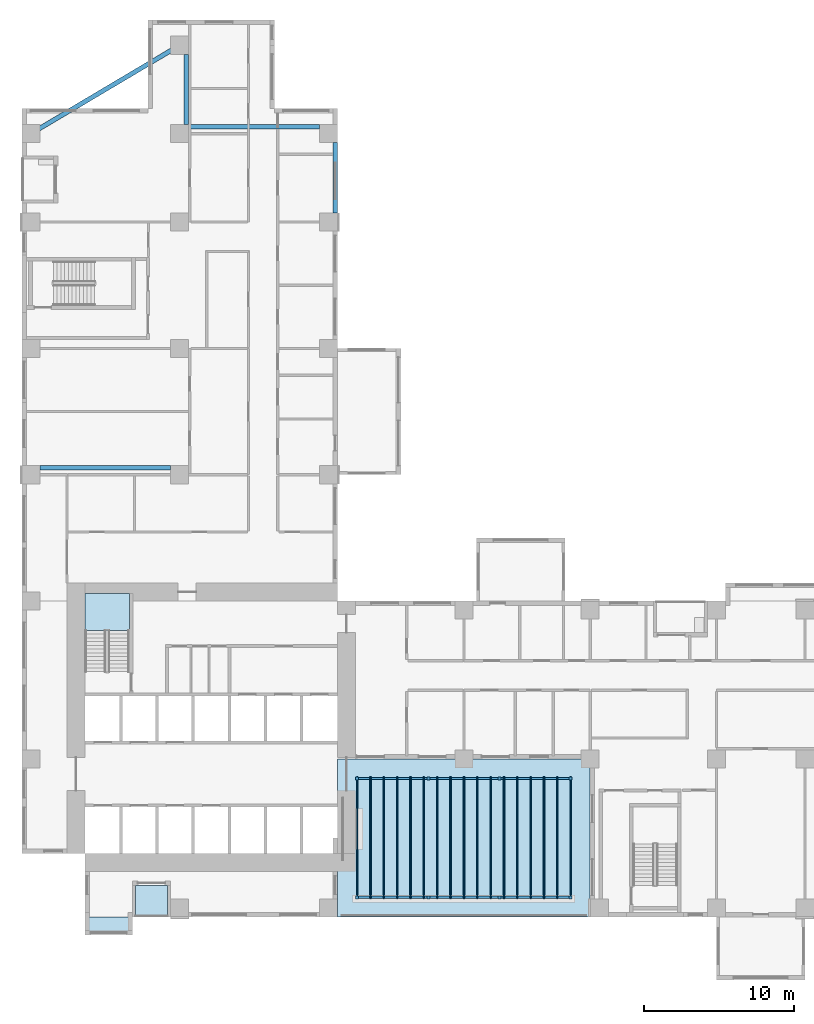
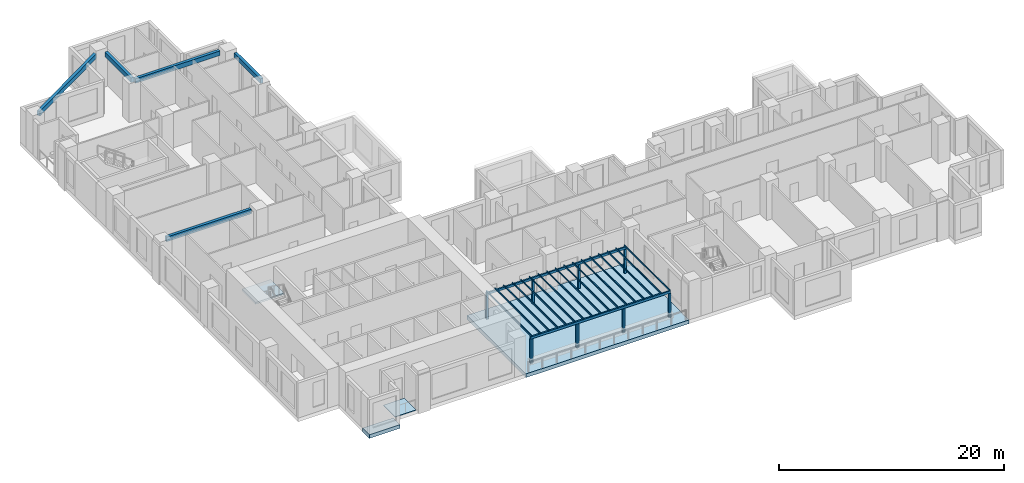
# One storey, part 2 of 16: 32 members, 4 slabs, 1 element without a shape of its own.
"""IFC4 building model written with IfcOpenShell, lengths in metres."""

from ifc_helpers import new_model, si_unit, direction, frame, origin, origin_2d, place, context, subcontext, project, spatial, polyline, rectangle, outline, extrude, source, transform, mapped, material, layer, layer_set, material_profile, profile_set, type_object, element, aggregate, save


model = new_model("IFC4")

# Units and contexts
model_context = context("Model", 3, precision=1e-05, world=origin(), true_north=direction((0.0, 1.0)))
body_context = subcontext(model_context, "Body", "Model", "MODEL_VIEW")
ifc_project = project(units=[si_unit("LENGTHUNIT", "METRE"), si_unit("AREAUNIT", "SQUARE_METRE"), si_unit("VOLUMEUNIT", "CUBIC_METRE"), si_unit("PLANEANGLEUNIT", "RADIAN"), si_unit("MASSUNIT", "GRAM", prefix="KILO")], contexts=[model_context])

# Site, building, storey
site_placement = place(None, origin())
site = spatial("IfcSite", under=ifc_project, at=site_placement, CompositionType="ELEMENT")
building_placement = place(site_placement, origin())
building = spatial("IfcBuilding", under=site, at=building_placement, Name="Aurelian Terraces", CompositionType="ELEMENT")
storey_placement = place(building_placement, frame((0.0, 0.0, 95.1)))
storey = spatial("IfcBuildingStorey", under=building, at=storey_placement, Name="L20", CompositionType="ELEMENT", Elevation=95.1)

# Members
ifc_material_1 = material(Name="Concrete fc' 40 MPa", Category="concrete")
ifc_material_profile_1 = material_profile(ifc_material_1, rectangle(XDim=0.3, YDim=0.5, at=origin_2d()))
ifc_profile_set_1 = profile_set([ifc_material_profile_1], Name="Concrete fc' 40 MPa")
member_type_1 = type_object("IfcMemberType", Name="CONCRETE EDGE BEAM 300X500", PredefinedType="MEMBER", material=ifc_profile_set_1)
shared_shape_1 = source(origin(), body_context, "Body", "SweptSolid", [
    extrude(rectangle(XDim=0.3, YDim=0.5, at=origin_2d()), origin(), (0.0, 0.0, 1.0), 4.68),
])
for number, where, z_axis, x_axis, name in (
    (1, (10.95, 57.36, 3.55), (0.0, -1.0, 0.0), (1.0, 0.0, 0.0), "Terrace edge member L21-X2"),
    (2, (20.85, 51.48, 3.55), (0.0, -1.0, 0.0), (1.0, 0.0, 0.0), "Terrace edge member L21-X3"),
):
    element("IfcMember", number, at=place(storey_placement, frame(where, z_axis=z_axis, x_axis=x_axis)), inside=storey, type_object=member_type_1, Name=name, PredefinedType="MEMBER", context=body_context, shape_type="MappedRepresentation", body=[
        mapped(shared_shape_1, transform((0.0, 0.0, 0.0), scale=1.0)),
    ])
shared_shape_2 = source(origin(), body_context, "Body", "SweptSolid", [
    extrude(rectangle(XDim=0.3, YDim=0.5, at=origin_2d()), origin(), (0.0, 0.0, 1.0), 8.7),
])
for number, where, z_axis, x_axis, name in (
    (3, (1.2, 29.85, 3.55), (1.0, 0.0, 0.0), (0.0, 1.0, 0.0), "Terrace edge member L21-X1"),
    (4, (19.8, 52.53, 3.55), (-1.0, 0.0, 0.0), (0.0, -1.0, 0.0), "Terrace edge member L21-X3.2"),
):
    element("IfcMember", number, at=place(storey_placement, frame(where, z_axis=z_axis, x_axis=x_axis)), inside=storey, type_object=member_type_1, Name=name, PredefinedType="MEMBER", context=body_context, shape_type="MappedRepresentation", body=[
        mapped(shared_shape_2, transform((0.0, 0.0, 0.0), scale=1.0)),
    ])
shared_shape_3 = source(origin(), body_context, "Body", "SweptSolid", [
    extrude(rectangle(XDim=0.3, YDim=0.5, at=origin_2d()), origin(), (0.0, 0.0, 1.0), 10.3145),
])
member_placement = place(storey_placement, frame((9.9841, 57.6536, 3.55), z_axis=(-0.859782116287, -0.510661054431, 0.0), x_axis=(0.510661054431, -0.859782116287, 0.0)))
element("IfcMember", 5, at=member_placement, inside=storey, type_object=member_type_1, Name="Terrace edge member L21-X2.2", PredefinedType="MEMBER", context=body_context, shape_type="MappedRepresentation", body=[
    mapped(shared_shape_3, transform((0.0, 0.0, 0.0), scale=1.0)),
])
ifc_material_2 = material(Name="Anodised aluminium", Category="aluminium")
ifc_material_profile_2 = material_profile(ifc_material_2, rectangle(XDim=0.2, YDim=0.2, at=origin_2d()))
ifc_profile_set_2 = profile_set([ifc_material_profile_2], Name="Anodised aluminium")
member_type_2 = type_object("IfcMemberType", Name="PERGOLA POST 200X200", PredefinedType="POST", material=ifc_profile_set_2)
shared_shape_4 = source(origin(), body_context, "Body", "SweptSolid", [
    extrude(rectangle(XDim=0.2, YDim=0.2, at=origin_2d()), origin(), (0.0, 0.0, 1.0), 2.6),
])
for number, where, z_axis, x_axis, name in (
    (6, (22.3, 1.3, 0.0), (0.0, 0.0, 1.0), (1.0, 0.0, 0.0), "Pergola post L20 SKY-03-T1.1.1"),
    (7, (22.3, 9.2, 0.0), (0.0, 0.0, 1.0), (1.0, 0.0, 0.0), "Pergola post L20 SKY-03-T1.1.2"),
    (8, (27.0333, 1.3, 0.0), (0.0, 0.0, 1.0), (1.0, 0.0, 0.0), "Pergola post L20 SKY-03-T1.2.1"),
    (9, (27.0333, 9.2, 0.0), (0.0, 0.0, 1.0), (1.0, 0.0, 0.0), "Pergola post L20 SKY-03-T1.2.2"),
    (10, (31.7667, 1.3, 0.0), (0.0, 0.0, 1.0), (1.0, 0.0, 0.0), "Pergola post L20 SKY-03-T1.3.1"),
    (11, (31.7667, 9.2, 0.0), (0.0, 0.0, 1.0), (1.0, 0.0, 0.0), "Pergola post L20 SKY-03-T1.3.2"),
    (12, (36.5, 1.3, 0.0), (0.0, 0.0, 1.0), (1.0, 0.0, 0.0), "Pergola post L20 SKY-03-T1.4.1"),
    (13, (36.5, 9.2, 0.0), (0.0, 0.0, 1.0), (1.0, 0.0, 0.0), "Pergola post L20 SKY-03-T1.4.2"),
):
    element("IfcMember", number, at=place(storey_placement, frame(where, z_axis=z_axis, x_axis=x_axis)), inside=storey, type_object=member_type_2, Name=name, PredefinedType="POST", context=body_context, shape_type="MappedRepresentation", body=[
        mapped(shared_shape_4, transform((0.0, 0.0, 0.0), scale=1.0)),
    ])
ifc_material_profile_3 = material_profile(ifc_material_2, rectangle(XDim=0.15, YDim=0.25, at=origin_2d()))
ifc_profile_set_3 = profile_set([ifc_material_profile_3], Name="Anodised aluminium")
member_type_3 = type_object("IfcMemberType", Name="PERGOLA BEAM 150X250", PredefinedType="PURLIN", material=ifc_profile_set_3)
shared_shape_5 = source(origin(), body_context, "Body", "SweptSolid", [
    extrude(rectangle(XDim=0.15, YDim=0.25, at=origin_2d()), origin(), (0.0, 0.0, 1.0), 14.4),
])
for number, where, z_axis, x_axis, name in (
    (14, (22.2, 1.3, 2.725), (1.0, 0.0, 0.0), (0.0, 1.0, 0.0), "Pergola beam L20 SKY-03-T1.1"),
    (15, (22.2, 9.2, 2.725), (1.0, 0.0, 0.0), (0.0, 1.0, 0.0), "Pergola beam L20 SKY-03-T1.2"),
):
    element("IfcMember", number, at=place(storey_placement, frame(where, z_axis=z_axis, x_axis=x_axis)), inside=storey, type_object=member_type_3, Name=name, PredefinedType="PURLIN", context=body_context, shape_type="MappedRepresentation", body=[
        mapped(shared_shape_5, transform((0.0, 0.0, 0.0), scale=1.0)),
    ])
ifc_material_profile_4 = material_profile(ifc_material_2, rectangle(XDim=0.08, YDim=0.15, at=origin_2d()))
ifc_profile_set_4 = profile_set([ifc_material_profile_4], Name="Anodised aluminium")
member_type_4 = type_object("IfcMemberType", Name="PERGOLA RAFTER 80X150", PredefinedType="RAFTER", material=ifc_profile_set_4)
shared_shape_6 = source(origin(), body_context, "Body", "SweptSolid", [
    extrude(rectangle(XDim=0.08, YDim=0.15, at=origin_2d()), origin(), (0.0, 0.0, 1.0), 8.1),
])
for number, where, z_axis, x_axis, name in (
    (16, (22.3, 1.2, 2.925), (0.0, 1.0, 0.0), (-1.0, 0.0, 0.0), "Pergola rafter L20 SKY-03-T1.1"),
    (17, (23.1875, 1.2, 2.925), (0.0, 1.0, 0.0), (-1.0, 0.0, 0.0), "Pergola rafter L20 SKY-03-T1.2"),
    (18, (24.075, 1.2, 2.925), (0.0, 1.0, 0.0), (-1.0, 0.0, 0.0), "Pergola rafter L20 SKY-03-T1.3"),
    (19, (24.9625, 1.2, 2.925), (0.0, 1.0, 0.0), (-1.0, 0.0, 0.0), "Pergola rafter L20 SKY-03-T1.4"),
    (20, (25.85, 1.2, 2.925), (0.0, 1.0, 0.0), (-1.0, 0.0, 0.0), "Pergola rafter L20 SKY-03-T1.5"),
    (21, (26.7375, 1.2, 2.925), (0.0, 1.0, 0.0), (-1.0, 0.0, 0.0), "Pergola rafter L20 SKY-03-T1.6"),
    (22, (27.625, 1.2, 2.925), (0.0, 1.0, 0.0), (-1.0, 0.0, 0.0), "Pergola rafter L20 SKY-03-T1.7"),
    (23, (28.5125, 1.2, 2.925), (0.0, 1.0, 0.0), (-1.0, 0.0, 0.0), "Pergola rafter L20 SKY-03-T1.8"),
    (24, (29.4, 1.2, 2.925), (0.0, 1.0, 0.0), (-1.0, 0.0, 0.0), "Pergola rafter L20 SKY-03-T1.9"),
    (25, (30.2875, 1.2, 2.925), (0.0, 1.0, 0.0), (-1.0, 0.0, 0.0), "Pergola rafter L20 SKY-03-T1.10"),
    (26, (31.175, 1.2, 2.925), (0.0, 1.0, 0.0), (-1.0, 0.0, 0.0), "Pergola rafter L20 SKY-03-T1.11"),
    (27, (32.0625, 1.2, 2.925), (0.0, 1.0, 0.0), (-1.0, 0.0, 0.0), "Pergola rafter L20 SKY-03-T1.12"),
    (28, (32.95, 1.2, 2.925), (0.0, 1.0, 0.0), (-1.0, 0.0, 0.0), "Pergola rafter L20 SKY-03-T1.13"),
    (29, (33.8375, 1.2, 2.925), (0.0, 1.0, 0.0), (-1.0, 0.0, 0.0), "Pergola rafter L20 SKY-03-T1.14"),
    (30, (34.725, 1.2, 2.925), (0.0, 1.0, 0.0), (-1.0, 0.0, 0.0), "Pergola rafter L20 SKY-03-T1.15"),
    (31, (35.6125, 1.2, 2.925), (0.0, 1.0, 0.0), (-1.0, 0.0, 0.0), "Pergola rafter L20 SKY-03-T1.16"),
    (32, (36.5, 1.2, 2.925), (0.0, 1.0, 0.0), (-1.0, 0.0, 0.0), "Pergola rafter L20 SKY-03-T1.17"),
):
    element("IfcMember", number, at=place(storey_placement, frame(where, z_axis=z_axis, x_axis=x_axis)), inside=storey, type_object=member_type_4, Name=name, PredefinedType="RAFTER", context=body_context, shape_type="MappedRepresentation", body=[
        mapped(shared_shape_6, transform((0.0, 0.0, 0.0), scale=1.0)),
    ])

# Slabs
ifc_layer_1 = layer(ifc_material_1, 0.4)
ifc_layer_set_1 = layer_set([ifc_layer_1], Name="Bay floor 400")
slab_type_1 = type_object("IfcSlabType", Name="Bay floor 400", PredefinedType="NOTDEFINED", material=ifc_layer_set_1)
shared_shape_7 = source(origin(), body_context, "Body", "SweptSolid", [
    extrude(outline(polyline([(4.2, 0.0), (7.35, 0.0), (7.35, -1.2), (4.2, -1.2), (4.2, 0.0)])), origin(), (0.0, 0.0, 1.0), 0.4),
])
slab_1_placement = place(storey_placement, frame((0.0, 0.0, -0.4)))
element("IfcSlab", 33, at=slab_1_placement, inside=storey, type_object=slab_type_1, Name="Bay floor L20 F01.1", PredefinedType="NOTDEFINED", context=body_context, shape_type="MappedRepresentation", body=[
    mapped(shared_shape_7, transform((0.0, 0.0, 0.0), scale=1.0)),
])
ifc_material_3 = material(Name="Granite paving", Category="masonry")
ifc_layer_2 = layer(ifc_material_3, 0.05)
ifc_layer_set_2 = layer_set([ifc_layer_2], Name="Loggia paving 50")
slab_type_2 = type_object("IfcSlabType", Name="Loggia paving 50", PredefinedType="NOTDEFINED", material=ifc_layer_set_2)
shared_shape_8 = source(origin(), body_context, "Body", "SweptSolid", [
    extrude(outline(polyline([(7.55, 0.0), (9.7, 0.0), (9.7, 2.1), (7.55, 2.1), (7.55, 0.0)])), origin(), (0.0, 0.0, 1.0), 0.05),
])
slab_2_placement = place(storey_placement, origin())
element("IfcSlab", 34, at=slab_2_placement, inside=storey, type_object=slab_type_2, Name="Loggia floor L20 F01.2", PredefinedType="NOTDEFINED", context=body_context, shape_type="MappedRepresentation", body=[
    mapped(shared_shape_8, transform((0.0, 0.0, 0.0), scale=1.0)),
])
ifc_layer_3 = layer(ifc_material_1, 0.4001)
ifc_layer_set_3 = layer_set([ifc_layer_3], Name="Terrace slab 400")
slab_type_3 = type_object("IfcSlabType", Name="Terrace slab 400", PredefinedType="NOTDEFINED", material=ifc_layer_set_3)
shared_shape_9 = source(origin(), body_context, "Body", "SweptSolid", [
    extrude(outline(polyline([(37.8, 10.5), (37.8, 0.0), (21.0, 0.0), (21.0, 10.5), (37.8, 10.5)])), origin(), (0.0, 0.0, 1.0), 0.4001),
])
slab_3_placement = place(storey_placement, frame((0.0, 0.0, -0.4001)))
element("IfcSlab", 35, at=slab_3_placement, inside=storey, type_object=slab_type_3, Name="Sky terrace L20 SKY-03-T1", PredefinedType="NOTDEFINED", context=body_context, shape_type="MappedRepresentation", body=[
    mapped(shared_shape_9, transform((0.0, 0.0, 0.0), scale=1.0)),
])

# Stair, slab
stair_type = type_object("IfcStairType", Name="Stair 1400", PredefinedType="HALF_TURN_STAIR", material=ifc_material_1)
stair_placement = place(storey_placement, origin())
stair = element("IfcStair", 36, at=stair_placement, inside=storey, type_object=stair_type, Name="L20 S1", PredefinedType="HALF_TURN_STAIR")
ifc_layer_4 = layer(ifc_material_1, 0.2)
ifc_layer_set_4 = layer_set([ifc_layer_4], Name="Stair landing 200")
slab_type_4 = type_object("IfcSlabType", Name="Stair landing 200", PredefinedType="LANDING", material=ifc_layer_set_4)
shared_shape_10 = source(origin(), body_context, "Body", "SweptSolid", [
    extrude(outline(polyline([(7.15, 19.05), (7.15, 21.5), (4.2, 21.5), (4.2, 19.05), (7.15, 19.05)])), origin(), (0.0, 0.0, 1.0), 0.2),
])
slab_4_placement = place(storey_placement, frame((0.0, 0.0, 1.9)))
slab_4 = element("IfcSlab", 37, at=slab_4_placement, type_object=slab_type_4, Name="S1 landing 1", PredefinedType="LANDING", context=body_context, shape_type="MappedRepresentation", body=[
    mapped(shared_shape_10, transform((0.0, 0.0, 0.0), scale=1.0)),
])
aggregate(stair, [slab_4])

save(model, "model.ifc")
